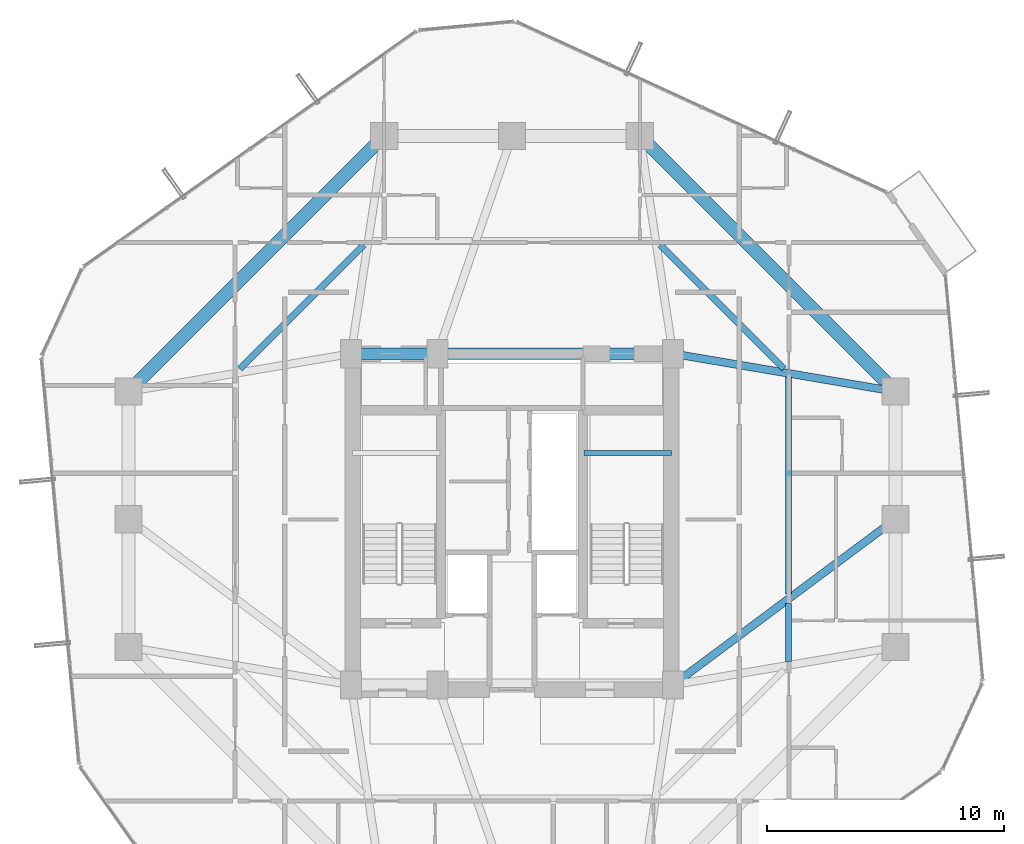
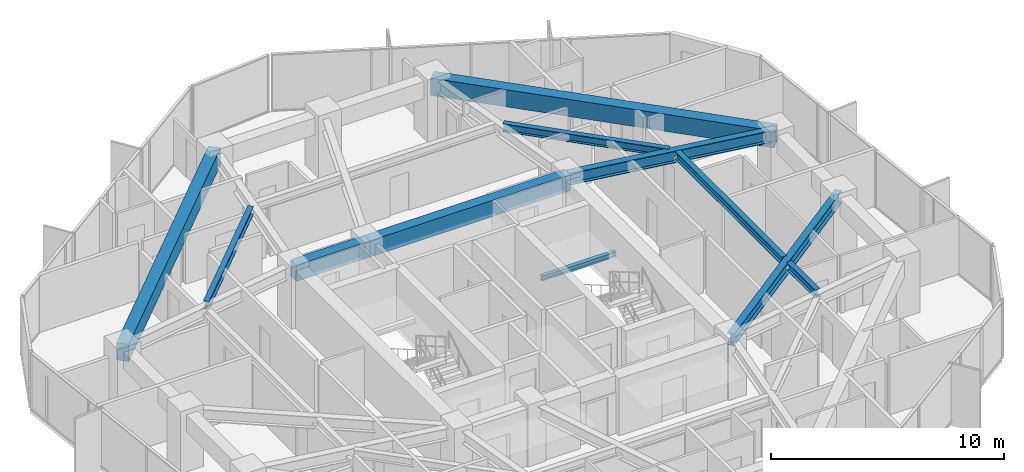
# One storey, part 14 of 33: 11 beams.
"""IFC4 building model written with IfcOpenShell, lengths in metres."""

from ifc_helpers import new_model, si_unit, direction, frame, origin, origin_2d, place, context, subcontext, project, spatial, rectangle, i_section, extrude, material, material_profile, profile_set, type_object, element, save


model = new_model("IFC4")

# Units and contexts
model_context = context("Model", 3, precision=1e-05, world=origin(), true_north=direction((0.0, 1.0)))
body_context = subcontext(model_context, "Body", "Model", "MODEL_VIEW")
ifc_project = project(units=[si_unit("LENGTHUNIT", "METRE"), si_unit("AREAUNIT", "SQUARE_METRE"), si_unit("VOLUMEUNIT", "CUBIC_METRE"), si_unit("PLANEANGLEUNIT", "RADIAN"), si_unit("MASSUNIT", "GRAM", prefix="KILO")], contexts=[model_context])

# Site, building, storey
site_placement = place(None, origin())
site = spatial("IfcSite", under=ifc_project, at=site_placement, CompositionType="ELEMENT")
building_placement = place(site_placement, origin())
building = spatial("IfcBuilding", under=site, at=building_placement, Name="Veraguas Prism Commons", CompositionType="ELEMENT")
storey_placement = place(building_placement, frame((0.0, 0.0, 145.75)))
storey = spatial("IfcBuildingStorey", under=building, at=storey_placement, Name="L41", CompositionType="ELEMENT", Elevation=145.75)

# Beams
ifc_material_1 = material(Name="Concrete C50/60", Category="concrete")
ifc_material_profile_1 = material_profile(ifc_material_1, rectangle(XDim=0.5, YDim=0.85009765625, at=origin_2d()), Name="RC500X850")
ifc_profile_set_1 = profile_set([ifc_material_profile_1], Name="Concrete C50/60")
beam_type_1 = type_object("IfcBeamType", Name="Core Coupling Beam RC 500x850", PredefinedType="BEAM", material=ifc_profile_set_1)
beam_1_placement = place(storey_placement, frame((17.199951171875, 31.0, 2.574951171875), z_axis=(1.0, 0.0, 0.0), x_axis=(0.0, 1.0, 0.0)))
element("IfcBeam", 1, at=beam_1_placement, inside=storey, type_object=beam_type_1, Name="Core Coupling Beam L41-CRN1", PredefinedType="BEAM", context=body_context, shape_type="SweptSolid", body=[
    extrude(rectangle(XDim=0.5, YDim=0.85009765625, at=origin_2d()), origin(), (0.0, 0.0, 1.0), 3.650146484375),
])
beam_2_placement = place(storey_placement, frame((20.85009765625, 31.0, 2.574951171875), z_axis=(1.0, 0.0, 0.0), x_axis=(0.0, 1.0, 0.0)))
element("IfcBeam", 2, at=beam_2_placement, inside=storey, type_object=beam_type_1, Name="Core Coupling Beam L41-CRN2", PredefinedType="BEAM", context=body_context, shape_type="SweptSolid", body=[
    extrude(rectangle(XDim=0.5, YDim=0.85009765625, at=origin_2d()), origin(), (0.0, 0.0, 1.0), 9.949951171875),
])
ifc_material_2 = material(Name="Steel ASTM A992 Grade 50", Category="steel")
ifc_material_profile_2 = material_profile(ifc_material_2, i_section(OverallWidth=0.260986328125, OverallDepth=0.419921875, WebThickness=0.01171875, FlangeThickness=0.019287109375, at=origin_2d()), Name="W410X114")
ifc_profile_set_2 = profile_set([ifc_material_profile_2], Name="Steel ASTM A992 Grade 50")
beam_type_2 = type_object("IfcBeamType", Name="Lower Floor Joist W410x114", PredefinedType="JOIST", material=ifc_profile_set_2)
beam_3_placement = place(storey_placement, frame((35.68798828125, 17.996337890625, 2.7900390625), z_axis=(0.0, 1.0, 0.0), x_axis=(-1.0, 0.0, 0.0)))
element("IfcBeam", 3, at=beam_3_placement, inside=storey, type_object=beam_type_2, Name="Composite Floor Joist L41-JS01", PredefinedType="JOIST", context=body_context, shape_type="SweptSolid", body=[
    extrude(i_section(OverallWidth=0.260986328125, OverallDepth=0.419921875, WebThickness=0.01171875, FlangeThickness=0.019287109375, at=origin_2d()), origin(), (0.0, 0.0, 1.0), 2.441650390625),
])
beam_4_placement = place(storey_placement, frame((35.68798828125, 20.842041015625, 2.7900390625), z_axis=(0.0, 1.0, 0.0), x_axis=(-1.0, 0.0, 0.0)))
element("IfcBeam", 4, at=beam_4_placement, inside=storey, type_object=beam_type_2, Name="Composite Floor Joist L41-JS02", PredefinedType="JOIST", context=body_context, shape_type="SweptSolid", body=[
    extrude(i_section(OverallWidth=0.260986328125, OverallDepth=0.419921875, WebThickness=0.01171875, FlangeThickness=0.019287109375, at=origin_2d()), origin(), (0.0, 0.0, 1.0), 9.16162109375),
])
for number, where, z_axis, x_axis, name in (
    (5, (35.489990234375, 30.365966796875, 2.7900390625), (-0.707090260193, 0.707123301794, 0.0), (-0.707123301794, -0.707090260193, 0.0), "Composite Floor Joist L41-JS03"),
    (6, (17.734619140625, 35.5908203125, 2.7900390625), (-0.707090260193, -0.707123301794, 0.0), (0.707123301794, -0.707090260193, 0.0), "Composite Floor Joist L41-JS06"),
):
    element("IfcBeam", number, at=place(storey_placement, frame(where, z_axis=z_axis, x_axis=x_axis)), inside=storey, type_object=beam_type_2, Name=name, PredefinedType="JOIST", context=body_context, shape_type="SweptSolid", body=[
        extrude(i_section(OverallWidth=0.260986328125, OverallDepth=0.419921875, WebThickness=0.01171875, FlangeThickness=0.019287109375, at=origin_2d()), origin(), (0.0, 0.0, 1.0), 7.388916015625),
    ])
ifc_material_profile_3 = material_profile(ifc_material_1, rectangle(XDim=0.550048828125, YDim=0.89990234375, at=origin_2d()), Name="RC550X900")
ifc_profile_set_3 = profile_set([ifc_material_profile_3], Name="Concrete C50/60")
beam_type_3 = type_object("IfcBeamType", Name="Perimeter Spandrel Lower RC 550x900", PredefinedType="SPANDREL", material=ifc_profile_set_3)
for number, where, z_axis, x_axis, name in (
    (7, (40.199951171875, 29.39990234375, 2.550048828125), (-0.707106781187, 0.707106781187, 0.0), (-0.707106781187, -0.707106781187, 0.0), "Perimeter Spandrel Beam L41-SP03"),
    (8, (18.60009765625, 40.199951171875, 2.550048828125), (-0.707106781187, -0.707106781187, 0.0), (0.707106781187, -0.707106781187, 0.0), "Perimeter Spandrel Beam L41-SP06"),
):
    element("IfcBeam", number, at=place(storey_placement, frame(where, z_axis=z_axis, x_axis=x_axis)), inside=storey, type_object=beam_type_3, Name=name, PredefinedType="SPANDREL", context=body_context, shape_type="SweptSolid", body=[
        extrude(rectangle(XDim=0.550048828125, YDim=0.89990234375, at=origin_2d()), origin(), (0.0, 0.0, 1.0), 15.273681640625),
    ])
ifc_material_profile_4 = material_profile(ifc_material_2, i_section(OverallWidth=0.202880859375, OverallDepth=0.251953125, WebThickness=0.008056640625, FlangeThickness=0.013427734375, at=origin_2d()), Name="W250X58")
ifc_profile_set_4 = profile_set([ifc_material_profile_4], Name="Steel ASTM A992 Grade 50")
beam_type_4 = type_object("IfcBeamType", Name="Structural Opening Lintel W250x58", PredefinedType="LINTEL", material=ifc_profile_set_4)
beam_5_placement = place(storey_placement, frame((27.050048828125, 26.800048828125, 1.299072265625), z_axis=(1.0, 0.0, 0.0), x_axis=(0.0, 1.0, 0.0)))
element("IfcBeam", 9, at=beam_5_placement, inside=storey, type_object=beam_type_4, Name="Stair ST-02 Half-Landing Support Beam L41-1", PredefinedType="LINTEL", context=body_context, shape_type="SweptSolid", body=[
    extrude(i_section(OverallWidth=0.202880859375, OverallDepth=0.251953125, WebThickness=0.008056640625, FlangeThickness=0.013427734375, at=origin_2d()), origin(), (0.0, 0.0, 1.0), 3.699951171875),
])
ifc_material_profile_5 = material_profile(ifc_material_2, i_section(OverallWidth=0.327880859375, OverallDepth=0.6220703125, WebThickness=0.015380859375, FlangeThickness=0.0244140625, at=origin_2d()), Name="W610X195")
ifc_profile_set_5 = profile_set([ifc_material_profile_5], Name="Steel ASTM A992 Grade 50")
beam_type_5 = type_object("IfcBeamType", Name="Zone 2 Radial Girder W610x195", PredefinedType="BEAM", material=ifc_profile_set_5)
beam_6_placement = place(storey_placement, frame((40.199951171875, 24.0, 2.68896484375), z_axis=(-0.802040137921, -0.597270137512, 0.0), x_axis=(0.597270137512, -0.802040137921, 0.0)))
element("IfcBeam", 10, at=beam_6_placement, inside=storey, type_object=beam_type_5, Name="Radial Floor Girder L41-RD02", PredefinedType="BEAM", context=body_context, shape_type="SweptSolid", body=[
    extrude(i_section(OverallWidth=0.327880859375, OverallDepth=0.6220703125, WebThickness=0.015380859375, FlangeThickness=0.0244140625, at=origin_2d()), origin(), (0.0, 0.0, 1.0), 11.719970703125),
])
beam_7_placement = place(storey_placement, frame((40.199951171875, 29.39990234375, 2.68896484375), z_axis=(-0.985819187151, 0.1678109956, 0.0), x_axis=(-0.1678109956, -0.985819187151, 0.0)))
element("IfcBeam", 11, at=beam_7_placement, inside=storey, type_object=beam_type_5, Name="Radial Floor Girder L41-RD03", PredefinedType="BEAM", context=body_context, shape_type="SweptSolid", body=[
    extrude(i_section(OverallWidth=0.327880859375, OverallDepth=0.6220703125, WebThickness=0.015380859375, FlangeThickness=0.0244140625, at=origin_2d()), origin(), (0.0, 0.0, 1.0), 9.53515625),
])

save(model, "model.ifc")
